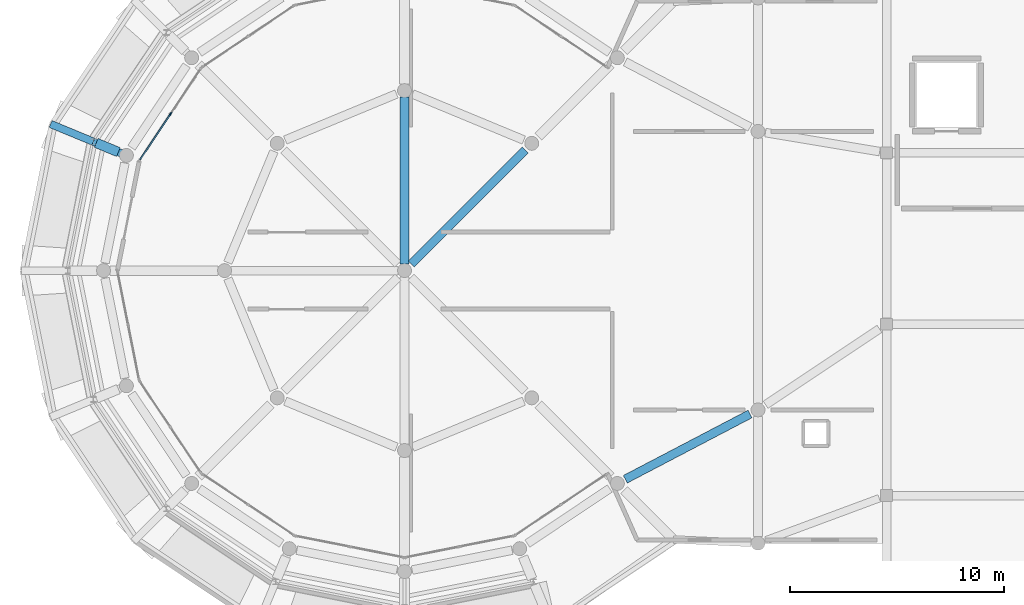
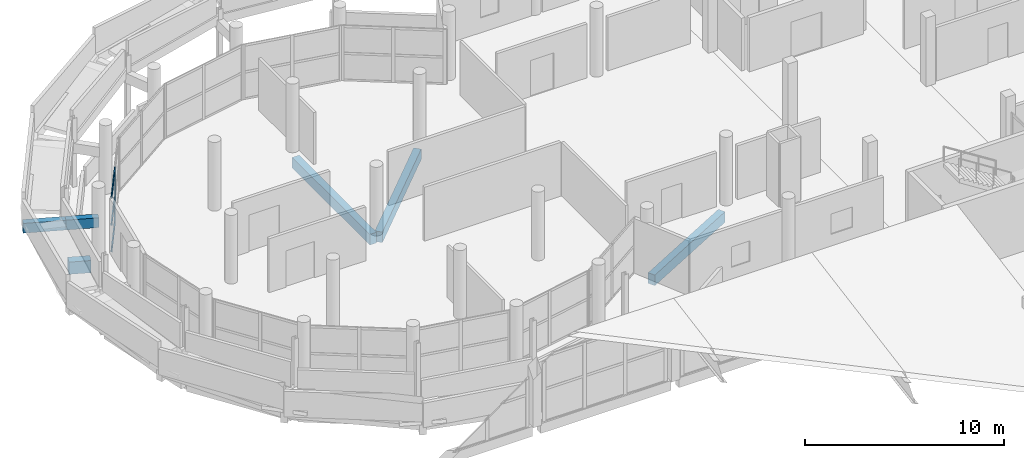
# One storey, part 17 of 83: 6 beams, 4 members, 1 element without a shape of its own.
"""IFC4 building model written with IfcOpenShell, lengths in metres."""

from ifc_helpers import new_model, si_unit, direction, frame, origin, origin_2d, place, context, subcontext, project, spatial, rectangle, extrude, material, layer, layer_set, material_profile, profile_set, type_object, element, aggregate, save


model = new_model("IFC4")

# Units and contexts
model_context = context("Model", 3, precision=1e-05, world=origin(), true_north=direction((0.0, 1.0)))
body_context = subcontext(model_context, "Body", "Model", "MODEL_VIEW")
ifc_project = project(units=[si_unit("LENGTHUNIT", "METRE"), si_unit("AREAUNIT", "SQUARE_METRE"), si_unit("VOLUMEUNIT", "CUBIC_METRE"), si_unit("PLANEANGLEUNIT", "RADIAN"), si_unit("MASSUNIT", "GRAM", prefix="KILO")], contexts=[model_context])

# Site, building, storey
site_placement = place(None, origin())
site = spatial("IfcSite", under=ifc_project, at=site_placement, CompositionType="ELEMENT")
building_placement = place(site_placement, origin())
building = spatial("IfcBuilding", under=site, at=building_placement, Name="Jelvoka-Kovrelna Polytechnic", CompositionType="ELEMENT")
storey_placement = place(building_placement, frame((0.0, 0.0, 13.800048828125)))
storey = spatial("IfcBuildingStorey", under=building, at=storey_placement, Name="L04", CompositionType="ELEMENT", Elevation=13.800048828125)

# Beams
ifc_material_1 = material(Name="Concrete C35/45", Category="concrete")
ifc_material_profile_1 = material_profile(ifc_material_1, rectangle(XDim=0.35009765625, YDim=0.60009765625, at=origin_2d()), Name="RC 350x600")
ifc_profile_set_1 = profile_set([ifc_material_profile_1], Name="Concrete C35/45")
beam_type_1 = type_object("IfcBeamType", Name="Beam_RC_350x600", PredefinedType="BEAM", material=ifc_profile_set_1)
beam_1_placement = place(storey_placement, frame((12.51953125, 47.876708984375, 1.994873046875), z_axis=(-0.923870731357, 0.38270467954, 0.0), x_axis=(-0.38270467954, -0.923870731357, 0.0)))
element("IfcBeam", 1, at=beam_1_placement, inside=storey, type_object=beam_type_1, Name="L04 spiral ramp inner tie beam 4.5", PredefinedType="BEAM", context=body_context, shape_type="SweptSolid", body=[
    extrude(rectangle(XDim=0.35009765625, YDim=0.60009765625, at=origin_2d()), origin(), (0.0, 0.0, 1.0), 1.670166015625),
])
beam_2_placement = place(storey_placement, frame((10.9765625, 48.515869140625, 1.994873046875), z_axis=(-0.923910766313, 0.382608018592, 0.0), x_axis=(-0.382608018592, -0.923910766313, 0.0)))
element("IfcBeam", 2, at=beam_2_placement, inside=storey, type_object=beam_type_1, Name="L04 spiral ramp cantilever bracket 4.5", PredefinedType="BEAM", context=body_context, shape_type="SweptSolid", body=[
    extrude(rectangle(XDim=0.35009765625, YDim=0.60009765625, at=origin_2d()), origin(), (0.0, 0.0, 1.0), 2.159912109375),
])
ifc_material_2 = material(Name="Concrete C40/50", Category="concrete")
ifc_material_profile_2 = material_profile(ifc_material_2, rectangle(XDim=0.39990234375, YDim=0.64990234375, at=origin_2d()), Name="RC 400x650")
ifc_profile_set_2 = profile_set([ifc_material_profile_2], Name="Concrete C40/50")
beam_type_2 = type_object("IfcBeamType", Name="Beam_RC_400x650", PredefinedType="BEAM", material=ifc_profile_set_2)
beam_3_placement = place(storey_placement, frame((25.810791015625, 42.810791015625, -0.574951171875), z_axis=(0.707106781187, 0.707106781187, 0.0), x_axis=(-0.707106781187, 0.707106781187, 0.0)))
element("IfcBeam", 3, at=beam_3_placement, inside=storey, type_object=beam_type_2, Name="L04 beam 2532", PredefinedType="BEAM", context=body_context, shape_type="SweptSolid", body=[
    extrude(rectangle(XDim=0.39990234375, YDim=0.64990234375, at=origin_2d()), origin(), (0.0, 0.0, 1.0), 7.52099609375),
])
beam_4_placement = place(storey_placement, frame((25.5, 42.804931640625, -0.574951171875), z_axis=(0.0, 1.0, 0.0), x_axis=(-1.0, 0.0, 0.0)))
element("IfcBeam", 4, at=beam_4_placement, inside=storey, type_object=beam_type_2, Name="L04 beam 2534", PredefinedType="BEAM", context=body_context, shape_type="SweptSolid", body=[
    extrude(rectangle(XDim=0.39990234375, YDim=0.64990234375, at=origin_2d()), origin(), (0.0, 0.0, 1.0), 7.7900390625),
])
beam_5_placement = place(storey_placement, frame((35.805908203125, 32.75927734375, -0.574951171875), z_axis=(0.886059011068, 0.463572463488, 0.0), x_axis=(-0.463572463488, 0.886059011068, 0.0)))
element("IfcBeam", 5, at=beam_5_placement, inside=storey, type_object=beam_type_2, Name="L04 beam 2595", PredefinedType="BEAM", context=body_context, shape_type="SweptSolid", body=[
    extrude(rectangle(XDim=0.39990234375, YDim=0.64990234375, at=origin_2d()), origin(), (0.0, 0.0, 1.0), 6.572021484375),
])
ifc_material_3 = material(Name="Concrete C40/50", Category="concrete")
ifc_material_profile_3 = material_profile(ifc_material_3, rectangle(XDim=0.449951171875, YDim=0.75, at=origin_2d()), Name="RC 450x750")
ifc_profile_set_3 = profile_set([ifc_material_profile_3], Name="Concrete C40/50")
beam_type_3 = type_object("IfcBeamType", Name="Beam_RC_450x750", PredefinedType="BEAM", material=ifc_profile_set_3)
beam_6_placement = place(storey_placement, frame((12.145751953125, 48.031494140625, -0.625), z_axis=(-0.923881295129, 0.382679177001, 0.0), x_axis=(-0.382679177001, -0.923881295129, 0.0)))
element("IfcBeam", 6, at=beam_6_placement, inside=storey, type_object=beam_type_3, Name="L04 beam 2570", PredefinedType="BEAM", context=body_context, shape_type="SweptSolid", body=[
    extrude(rectangle(XDim=0.449951171875, YDim=0.75, at=origin_2d()), origin(), (0.0, 0.0, 1.0), 1.11962890625),
])

# Curtain wall, members
ifc_material_4 = material(Name="Anodised aluminium 6063-T6", Category="aluminium")
ifc_layer = layer(ifc_material_4, 0.179931640625)
ifc_layer_set = layer_set([ifc_layer], Name="Anodised aluminium 6063-T6")
curtain_wall_type = type_object("IfcCurtainWallType", Name="CW_Pavilion", PredefinedType="NOTDEFINED", material=ifc_layer_set)
curtain_wall_placement = place(storey_placement, origin())
curtain_wall = element("IfcCurtainWall", 7, at=curtain_wall_placement, inside=storey, type_object=curtain_wall_type, Name="L04 glazed curtain wall 248", PredefinedType="NOTDEFINED")
ifc_material_5 = material(Name="Anodised aluminium 6063-T6", Category="aluminium")
ifc_material_profile_4 = material_profile(ifc_material_5, rectangle(XDim=0.06494140625, YDim=0.179931640625, at=origin_2d()), Name="ALU 65x180")
ifc_profile_set_4 = profile_set([ifc_material_profile_4], Name="Anodised aluminium 6063-T6")
member_type_1 = type_object("IfcMemberType", Name="Mullion_M-05", PredefinedType="MULLION", material=ifc_profile_set_4)
member_1_placement = place(storey_placement, frame((14.572509765625, 49.801513671875, -0.02490234375), z_axis=(0.0, 0.0, 1.0), x_axis=(-0.83146132254, 0.555582639326, 0.0)))
member_1 = element("IfcMember", 8, at=member_1_placement, type_object=member_type_1, Name="CW-05 mullion 2", PredefinedType="MULLION", context=body_context, shape_type="SweptSolid", body=[
    extrude(rectangle(XDim=0.06494140625, YDim=0.179931640625, at=origin_2d()), origin(), (0.0, 0.0, 1.0), 3.39990234375),
])
ifc_material_6 = material(Name="Anodised aluminium 6063-T6", Category="aluminium")
ifc_material_profile_5 = material_profile(ifc_material_6, rectangle(XDim=0.06494140625, YDim=0.135009765625, at=origin_2d()), Name="ALU 65x135")
ifc_profile_set_5 = profile_set([ifc_material_profile_5], Name="Anodised aluminium 6063-T6")
member_type_2 = type_object("IfcMemberType", Name="Transom_T-05", PredefinedType="USERDEFINED", material=ifc_profile_set_5)
member_2_placement = place(storey_placement, frame((13.156005859375, 47.68212890625, 0.032470703125), z_axis=(0.555640036612, 0.831422966795, 0.0), x_axis=(-0.831422966795, 0.555640036612, 0.0)))
member_2 = element("IfcMember", 9, at=member_2_placement, type_object=member_type_2, Name="CW-05 transom 1.1", ObjectType="TRANSOM", PredefinedType="USERDEFINED", context=body_context, shape_type="SweptSolid", body=[
    extrude(rectangle(XDim=0.06494140625, YDim=0.135009765625, at=origin_2d()), origin(), (0.0, 0.0, 1.0), 2.516845703125),
])
member_3_placement = place(storey_placement, frame((13.156005859375, 47.68212890625, 1.675048828125), z_axis=(0.555640036612, 0.831422966795, 0.0), x_axis=(-0.831422966795, 0.555640036612, 0.0)))
member_3 = element("IfcMember", 10, at=member_3_placement, type_object=member_type_2, Name="CW-05 transom 1.2", ObjectType="TRANSOM", PredefinedType="USERDEFINED", context=body_context, shape_type="SweptSolid", body=[
    extrude(rectangle(XDim=0.06494140625, YDim=0.135009765625, at=origin_2d()), origin(), (0.0, 0.0, 1.0), 2.516845703125),
])
member_4_placement = place(storey_placement, frame((13.156005859375, 47.68212890625, 3.3173828125), z_axis=(0.555640036612, 0.831422966795, 0.0), x_axis=(-0.831422966795, 0.555640036612, 0.0)))
member_4 = element("IfcMember", 11, at=member_4_placement, type_object=member_type_2, Name="CW-05 transom 1.3", ObjectType="TRANSOM", PredefinedType="USERDEFINED", context=body_context, shape_type="SweptSolid", body=[
    extrude(rectangle(XDim=0.06494140625, YDim=0.135009765625, at=origin_2d()), origin(), (0.0, 0.0, 1.0), 2.516845703125),
])
aggregate(curtain_wall, [member_1, member_2, member_3, member_4])

save(model, "model.ifc")
